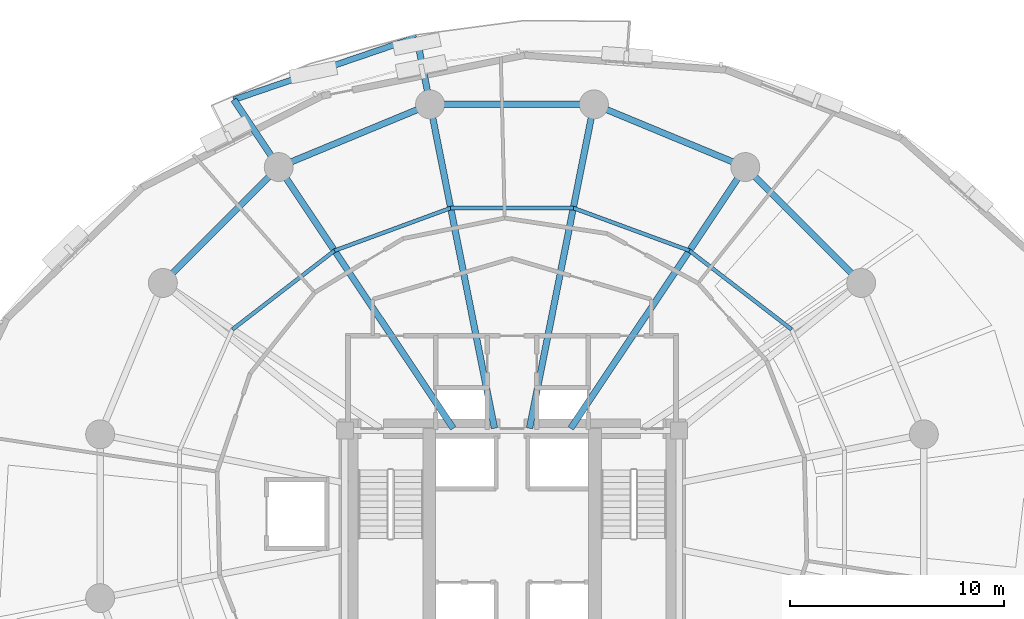
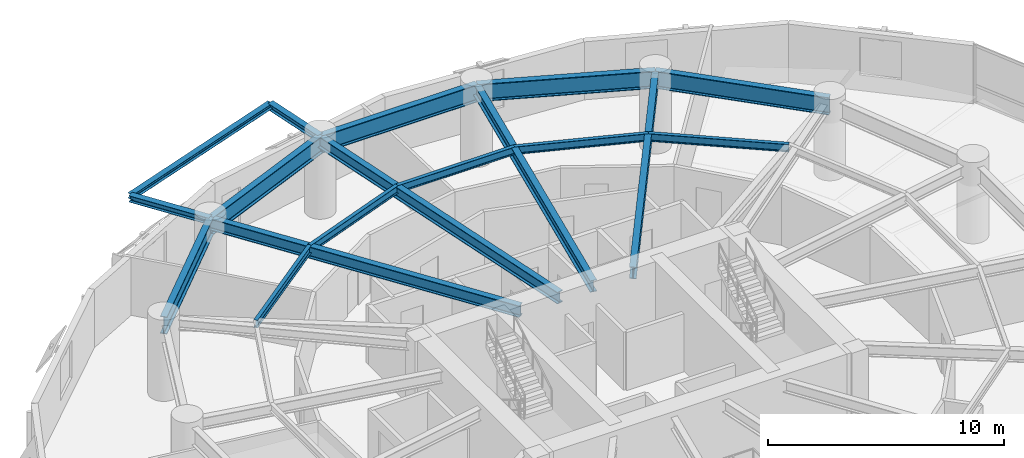
# One storey, part 9 of 17: 17 beams.
"""IFC4 building model written with IfcOpenShell, lengths in metres."""

from ifc_helpers import new_model, si_unit, direction, frame, origin, origin_2d, place, context, subcontext, project, spatial, i_section, extrude, material, material_profile, profile_set, type_object, element, save


model = new_model("IFC4")

# Units and contexts
model_context = context("Model", 3, precision=1e-05, world=origin(), true_north=direction((0.0, 1.0)))
body_context = subcontext(model_context, "Body", "Model", "MODEL_VIEW")
ifc_project = project(units=[si_unit("LENGTHUNIT", "METRE"), si_unit("AREAUNIT", "SQUARE_METRE"), si_unit("VOLUMEUNIT", "CUBIC_METRE"), si_unit("PLANEANGLEUNIT", "RADIAN"), si_unit("MASSUNIT", "GRAM", prefix="KILO"), si_unit("THERMODYNAMICTEMPERATUREUNIT", "KELVIN"), si_unit("POWERUNIT", "WATT")], contexts=[model_context])

# Site, building, storey
site_placement = place(None, origin())
site = spatial("IfcSite", under=ifc_project, at=site_placement, CompositionType="ELEMENT")
building_placement = place(site_placement, origin())
building = spatial("IfcBuilding", under=site, at=building_placement, Name="Ocrelia Relay Tower", CompositionType="ELEMENT")
storey_placement = place(building_placement, frame((0.0, 0.0, 80.39990234375)))
storey = spatial("IfcBuildingStorey", under=building, at=storey_placement, Name="L18", CompositionType="ELEMENT", Elevation=80.39990234375)

# Beams
ifc_material = material(Name="Steel S355", Category="steel")
ifc_material_profile_1 = material_profile(ifc_material, i_section(OverallWidth=0.280029296875, OverallDepth=0.27001953125, WebThickness=0.008056640625, FlangeThickness=0.012939453125, FilletRadius=0.02392578125, at=origin_2d()), Name="HEA 280")
ifc_profile_set_1 = profile_set([ifc_material_profile_1], Name="Steel S355")
beam_type_1 = type_object("IfcBeamType", Name="BM-HEA280", PredefinedType="BEAM", material=ifc_profile_set_1)
beam_1_placement = place(storey_placement, frame((29.55224609375, 48.35986328125, 3.78515625), z_axis=(-0.946218248893, -0.323529017958, 0.0), x_axis=(0.323529017958, -0.946218248893, 0.0)))
element("IfcBeam", 1, at=beam_1_placement, inside=storey, type_object=beam_type_1, Name="L19 Balcony Edge Trimmer Beam B1", PredefinedType="BEAM", context=body_context, shape_type="SweptSolid", body=[
    extrude(i_section(OverallWidth=0.280029296875, OverallDepth=0.27001953125, WebThickness=0.008056640625, FlangeThickness=0.012939453125, FilletRadius=0.02392578125, at=origin_2d()), origin(), (0.0, 0.0, 1.0), 9.026611328125),
])
ifc_material_profile_2 = material_profile(ifc_material, i_section(OverallWidth=0.300048828125, OverallDepth=0.330078125, WebThickness=0.009521484375, FlangeThickness=0.0166015625, FilletRadius=0.027099609375, at=origin_2d()), Name="HEA 340")
ifc_profile_set_2 = profile_set([ifc_material_profile_2], Name="Steel S355")
beam_type_2 = type_object("IfcBeamType", Name="BM-HEA340", PredefinedType="BEAM", material=ifc_profile_set_2)
beam_2_placement = place(storey_placement, frame((30.17626953125, 45.223388671875, 3.755126953125), z_axis=(-0.195132387887, 0.980776912043, 0.0), x_axis=(-0.980776912043, -0.195132387887, 0.0)))
element("IfcBeam", 2, at=beam_2_placement, inside=storey, type_object=beam_type_2, Name="L19 Balcony Cantilever Beam B1-1", PredefinedType="BEAM", context=body_context, shape_type="SweptSolid", body=[
    extrude(i_section(OverallWidth=0.300048828125, OverallDepth=0.330078125, WebThickness=0.009521484375, FlangeThickness=0.0166015625, FilletRadius=0.027099609375, at=origin_2d()), origin(), (0.0, 0.0, 1.0), 3.197998046875),
])
beam_3_placement = place(storey_placement, frame((23.11083984375, 42.296875, 3.755126953125), z_axis=(-0.555579368597, 0.831463508032, 0.0), x_axis=(-0.831463508032, -0.555579368597, 0.0)))
element("IfcBeam", 3, at=beam_3_placement, inside=storey, type_object=beam_type_2, Name="L19 Balcony Cantilever Beam B1-2", PredefinedType="BEAM", context=body_context, shape_type="SweptSolid", body=[
    extrude(i_section(OverallWidth=0.300048828125, OverallDepth=0.330078125, WebThickness=0.009521484375, FlangeThickness=0.0166015625, FilletRadius=0.027099609375, at=origin_2d()), origin(), (0.0, 0.0, 1.0), 3.779541015625),
])
ifc_material_profile_3 = material_profile(ifc_material, i_section(OverallWidth=0.300048828125, OverallDepth=0.60009765625, WebThickness=0.015380859375, FlangeThickness=0.030029296875, FilletRadius=0.027099609375, at=origin_2d()), Name="HEB 600")
ifc_profile_set_3 = profile_set([ifc_material_profile_3], Name="Steel S355")
beam_type_3 = type_object("IfcBeamType", Name="BM-HEB600", PredefinedType="BEAM", material=ifc_profile_set_3)
beam_4_placement = place(storey_placement, frame((44.88916015625, 42.296875, 3.6201171875), z_axis=(-0.555564422059, -0.831473495033, 0.0), x_axis=(0.831473495033, -0.555564422059, 0.0)))
element("IfcBeam", 4, at=beam_4_placement, inside=storey, type_object=beam_type_3, Name="L18 Radial Floor Girder R03", PredefinedType="BEAM", context=body_context, shape_type="SweptSolid", body=[
    extrude(i_section(OverallWidth=0.300048828125, OverallDepth=0.60009765625, WebThickness=0.015380859375, FlangeThickness=0.030029296875, FilletRadius=0.027099609375, at=origin_2d()), origin(), (0.0, 0.0, 1.0), 14.6630859375),
])
for number, where, z_axis, x_axis, name in (
    (5, (37.82373046875, 45.223388671875, 3.6201171875), (-0.19509567956, -0.980784214706, 0.0), (0.980784214706, -0.19509567956, 0.0), "L18 Radial Floor Girder R04"),
    (6, (30.17626953125, 45.223388671875, 3.6201171875), (0.19509567956, -0.980784214706, 0.0), (0.980784214706, 0.19509567956, 0.0), "L18 Radial Floor Girder R05"),
):
    element("IfcBeam", number, at=place(storey_placement, frame(where, z_axis=z_axis, x_axis=x_axis)), inside=storey, type_object=beam_type_3, Name=name, PredefinedType="BEAM", context=body_context, shape_type="SweptSolid", body=[
        extrude(i_section(OverallWidth=0.300048828125, OverallDepth=0.60009765625, WebThickness=0.015380859375, FlangeThickness=0.030029296875, FilletRadius=0.027099609375, at=origin_2d()), origin(), (0.0, 0.0, 1.0), 15.41455078125),
    ])
beam_5_placement = place(storey_placement, frame((23.11083984375, 42.296875, 3.6201171875), z_axis=(0.555564422059, -0.831473495033, 0.0), x_axis=(0.831473495033, 0.555564422059, 0.0)))
element("IfcBeam", 7, at=beam_5_placement, inside=storey, type_object=beam_type_3, Name="L18 Radial Floor Girder R06", PredefinedType="BEAM", context=body_context, shape_type="SweptSolid", body=[
    extrude(i_section(OverallWidth=0.300048828125, OverallDepth=0.60009765625, WebThickness=0.015380859375, FlangeThickness=0.030029296875, FilletRadius=0.027099609375, at=origin_2d()), origin(), (0.0, 0.0, 1.0), 14.6630859375),
])
ifc_material_profile_4 = material_profile(ifc_material, i_section(OverallWidth=0.300048828125, OverallDepth=0.89990234375, WebThickness=0.0185546875, FlangeThickness=0.034912109375, FilletRadius=0.030029296875, at=origin_2d()), Name="HEB 900")
ifc_profile_set_4 = profile_set([ifc_material_profile_4], Name="Steel S355")
beam_type_4 = type_object("IfcBeamType", Name="BM-HEB900", PredefinedType="BEAM", material=ifc_profile_set_4)
beam_6_placement = place(storey_placement, frame((50.296875, 36.88916015625, 3.47021484375), z_axis=(-0.707106781187, 0.707106781187, 0.0), x_axis=(-0.707106781187, -0.707106781187, 0.0)))
element("IfcBeam", 8, at=beam_6_placement, inside=storey, type_object=beam_type_4, Name="L18 Perimeter Spandrel Beam S02", PredefinedType="BEAM", context=body_context, shape_type="SweptSolid", body=[
    extrude(i_section(OverallWidth=0.300048828125, OverallDepth=0.89990234375, WebThickness=0.0185546875, FlangeThickness=0.034912109375, FilletRadius=0.030029296875, at=origin_2d()), origin(), (0.0, 0.0, 1.0), 7.647705078125),
])
for number, where, z_axis, x_axis, name in (
    (9, (44.88916015625, 42.296875, 3.47021484375), (-0.923883375589, 0.382674154222, 0.0), (-0.382674154222, -0.923883375589, 0.0), "L18 Perimeter Spandrel Beam S03"),
    (10, (37.82373046875, 45.223388671875, 3.47021484375), (-1.0, 0.0, 0.0), (0.0, -1.0, 0.0), "L18 Perimeter Spandrel Beam S04"),
    (11, (30.17626953125, 45.223388671875, 3.47021484375), (-0.923883375589, -0.382674154222, 0.0), (0.382674154222, -0.923883375589, 0.0), "L18 Perimeter Spandrel Beam S05"),
):
    element("IfcBeam", number, at=place(storey_placement, frame(where, z_axis=z_axis, x_axis=x_axis)), inside=storey, type_object=beam_type_4, Name=name, PredefinedType="BEAM", context=body_context, shape_type="SweptSolid", body=[
        extrude(i_section(OverallWidth=0.300048828125, OverallDepth=0.89990234375, WebThickness=0.0185546875, FlangeThickness=0.034912109375, FilletRadius=0.030029296875, at=origin_2d()), origin(), (0.0, 0.0, 1.0), 7.6474609375),
    ])
beam_7_placement = place(storey_placement, frame((23.11083984375, 42.296875, 3.47021484375), z_axis=(-0.707106781187, -0.707106781187, 0.0), x_axis=(0.707106781187, -0.707106781187, 0.0)))
element("IfcBeam", 12, at=beam_7_placement, inside=storey, type_object=beam_type_4, Name="L18 Perimeter Spandrel Beam S06", PredefinedType="BEAM", context=body_context, shape_type="SweptSolid", body=[
    extrude(i_section(OverallWidth=0.300048828125, OverallDepth=0.89990234375, WebThickness=0.0185546875, FlangeThickness=0.034912109375, FilletRadius=0.030029296875, at=origin_2d()), origin(), (0.0, 0.0, 1.0), 7.647705078125),
])
ifc_material_profile_5 = material_profile(ifc_material, i_section(OverallWidth=0.179931640625, OverallDepth=0.39990234375, WebThickness=0.008544921875, FlangeThickness=0.013427734375, FilletRadius=0.02099609375, at=origin_2d()), Name="IPE 400")
ifc_profile_set_5 = profile_set([ifc_material_profile_5], Name="Steel S355")
beam_type_5 = type_object("IfcBeamType", Name="BM-IPE400", PredefinedType="JOIST", material=ifc_profile_set_5)
beam_8_placement = place(storey_placement, frame((47.0478515625, 34.71826171875, 3.72021484375), z_axis=(-0.791694256239, 0.610917510502, 0.0), x_axis=(-0.610917510502, -0.791694256239, 0.0)))
element("IfcBeam", 13, at=beam_8_placement, inside=storey, type_object=beam_type_5, Name="L18 Secondary Floor Joist J02", PredefinedType="JOIST", context=body_context, shape_type="SweptSolid", body=[
    extrude(i_section(OverallWidth=0.179931640625, OverallDepth=0.39990234375, WebThickness=0.008544921875, FlangeThickness=0.013427734375, FilletRadius=0.02099609375, at=origin_2d()), origin(), (0.0, 0.0, 1.0), 6.019287109375),
])
beam_9_placement = place(storey_placement, frame((42.282470703125, 38.3955078125, 3.72021484375), z_axis=(-0.938745977034, 0.344609910773, 0.0), x_axis=(-0.344609910773, -0.938745977034, 0.0)))
element("IfcBeam", 14, at=beam_9_placement, inside=storey, type_object=beam_type_5, Name="L18 Secondary Floor Joist J03", PredefinedType="JOIST", context=body_context, shape_type="SweptSolid", body=[
    extrude(i_section(OverallWidth=0.179931640625, OverallDepth=0.39990234375, WebThickness=0.008544921875, FlangeThickness=0.013427734375, FilletRadius=0.02099609375, at=origin_2d()), origin(), (0.0, 0.0, 1.0), 5.774658203125),
])
beam_10_placement = place(storey_placement, frame((36.861572265625, 40.385498046875, 3.72021484375), z_axis=(-1.0, 0.0, 0.0), x_axis=(0.0, -1.0, 0.0)))
element("IfcBeam", 15, at=beam_10_placement, inside=storey, type_object=beam_type_5, Name="L18 Secondary Floor Joist J04", PredefinedType="JOIST", context=body_context, shape_type="SweptSolid", body=[
    extrude(i_section(OverallWidth=0.179931640625, OverallDepth=0.39990234375, WebThickness=0.008544921875, FlangeThickness=0.013427734375, FilletRadius=0.02099609375, at=origin_2d()), origin(), (0.0, 0.0, 1.0), 5.72314453125),
])
beam_11_placement = place(storey_placement, frame((31.138427734375, 40.385498046875, 3.72021484375), z_axis=(-0.938745977034, -0.344609910773, 0.0), x_axis=(0.344609910773, -0.938745977034, 0.0)))
element("IfcBeam", 16, at=beam_11_placement, inside=storey, type_object=beam_type_5, Name="L18 Secondary Floor Joist J05", PredefinedType="JOIST", context=body_context, shape_type="SweptSolid", body=[
    extrude(i_section(OverallWidth=0.179931640625, OverallDepth=0.39990234375, WebThickness=0.008544921875, FlangeThickness=0.013427734375, FilletRadius=0.02099609375, at=origin_2d()), origin(), (0.0, 0.0, 1.0), 5.774658203125),
])
beam_12_placement = place(storey_placement, frame((25.717529296875, 38.3955078125, 3.72021484375), z_axis=(-0.791694256239, -0.610917510502, 0.0), x_axis=(0.610917510502, -0.791694256239, 0.0)))
element("IfcBeam", 17, at=beam_12_placement, inside=storey, type_object=beam_type_5, Name="L18 Secondary Floor Joist J06", PredefinedType="JOIST", context=body_context, shape_type="SweptSolid", body=[
    extrude(i_section(OverallWidth=0.179931640625, OverallDepth=0.39990234375, WebThickness=0.008544921875, FlangeThickness=0.013427734375, FilletRadius=0.02099609375, at=origin_2d()), origin(), (0.0, 0.0, 1.0), 6.019287109375),
])

save(model, "model.ifc")
